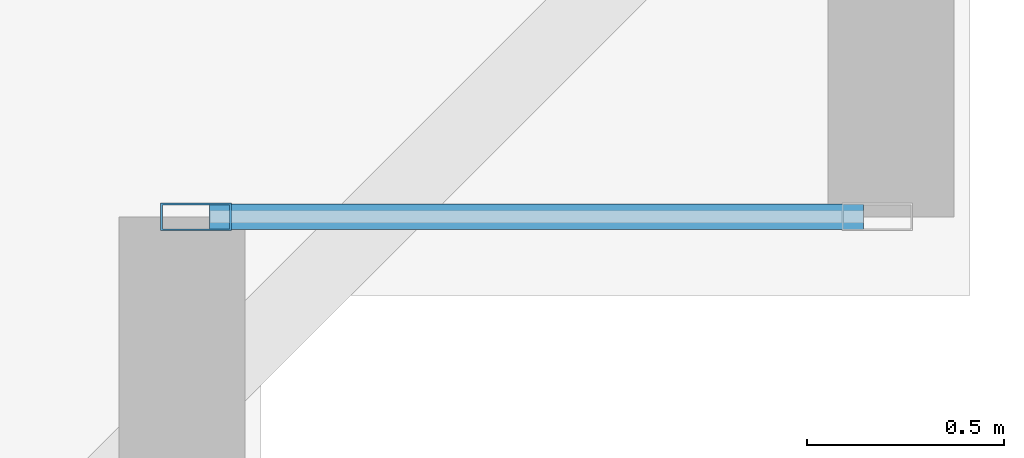
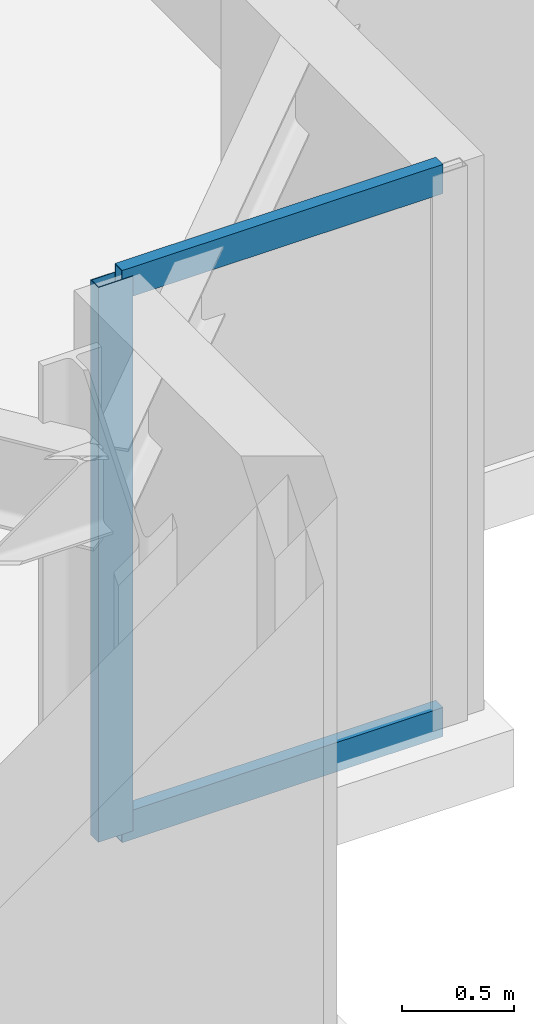
# One storey, part 6 of 21: 3 members, 1 element without a shape of its own.
"""IFC4 building model written with IfcOpenShell, lengths in metres."""

from ifc_helpers import new_model, si_unit, direction, frame, origin, origin_2d, place, context, subcontext, project, spatial, hollow_rectangle, extrude, material, layer, layer_set, material_profile, profile_set, type_object, element, aggregate, save


model = new_model("IFC4")

# Units and contexts
model_context = context("Model", 3, precision=1e-05, world=origin(), true_north=direction((0.0, 1.0)))
body_context = subcontext(model_context, "Body", "Model", "MODEL_VIEW")
ifc_project = project(units=[si_unit("LENGTHUNIT", "METRE"), si_unit("AREAUNIT", "SQUARE_METRE"), si_unit("VOLUMEUNIT", "CUBIC_METRE"), si_unit("PLANEANGLEUNIT", "RADIAN"), si_unit("MASSUNIT", "GRAM", prefix="KILO")], contexts=[model_context])

# Site, building, storey
site_placement = place(None, origin())
site = spatial("IfcSite", under=ifc_project, at=site_placement, CompositionType="ELEMENT")
building_placement = place(site_placement, origin())
building = spatial("IfcBuilding", under=site, at=building_placement, Name="Qobustan Lattice House", CompositionType="ELEMENT")
storey_placement = place(building_placement, frame((0.0, 0.0, 30.35009765625)))
storey = spatial("IfcBuildingStorey", under=building, at=storey_placement, Name="L07", CompositionType="ELEMENT", Elevation=30.35009765625)

# Curtain wall, members
ifc_material_1 = material(Name="Anodised aluminium and low-E glazing", Category="aluminium")
ifc_layer = layer(ifc_material_1, 0.219970703125)
ifc_layer_set = layer_set([ifc_layer], Name="Anodised aluminium and low-E glazing")
curtain_wall_type = type_object("IfcCurtainWallType", Name="CW-FAC-01", PredefinedType="USERDEFINED", material=ifc_layer_set)
curtain_wall_placement = place(storey_placement, origin())
curtain_wall = element("IfcCurtainWall", 1, at=curtain_wall_placement, inside=storey, type_object=curtain_wall_type, Name="L07 serrated corner faceted glazing 18", ObjectType="CURTAIN WALL", PredefinedType="USERDEFINED")
ifc_material_2 = material(Name="Anodised aluminium EN AW-6063 T6", Category="aluminium")
ifc_material_profile_1 = material_profile(ifc_material_2, hollow_rectangle(XDim=0.070068359375, YDim=0.179931640625, WallThickness=0.00439453125, at=origin_2d()), Name="CWM-180x70")
ifc_profile_set_1 = profile_set([ifc_material_profile_1], Name="Anodised aluminium EN AW-6063 T6")
member_type_1 = type_object("IfcMemberType", Name="CWM-STD-180", PredefinedType="MULLION", material=ifc_profile_set_1)
member_1_placement = place(storey_placement, frame((29.235107421875, -17.60009765625, 0.0), z_axis=(0.0, 0.0, 1.0), x_axis=(0.0, -1.0, 0.0)))
member_1 = element("IfcMember", 2, at=member_1_placement, type_object=member_type_1, Name="CW-F1 mullion 2", PredefinedType="MULLION", context=body_context, shape_type="SweptSolid", body=[
    extrude(hollow_rectangle(XDim=0.070068359375, YDim=0.179931640625, WallThickness=0.00439453125, at=origin_2d()), origin(), (0.0, 0.0, 1.0), 3.034912109375),
])
ifc_material_3 = material(Name="Anodised aluminium EN AW-6063 T6", Category="aluminium")
ifc_material_profile_2 = material_profile(ifc_material_3, hollow_rectangle(XDim=0.06494140625, YDim=0.159912109375, WallThickness=0.00390625, at=origin_2d()), Name="CWT-160x65")
ifc_profile_set_2 = profile_set([ifc_material_profile_2], Name="Anodised aluminium EN AW-6063 T6")
member_type_2 = type_object("IfcMemberType", Name="CWT-HOR-160", PredefinedType="USERDEFINED", material=ifc_profile_set_2)
member_2_placement = place(storey_placement, frame((30.929931640625, -17.60009765625, 0.032470703125), z_axis=(-1.0, 0.0, 0.0), x_axis=(0.0, -1.0, 0.0)))
member_2 = element("IfcMember", 3, at=member_2_placement, type_object=member_type_2, Name="CW-F1 transom 1.1", ObjectType="TRANSOM", PredefinedType="USERDEFINED", context=body_context, shape_type="SweptSolid", body=[
    extrude(hollow_rectangle(XDim=0.06494140625, YDim=0.159912109375, WallThickness=0.00390625, at=origin_2d()), origin(), (0.0, 0.0, 1.0), 1.659912109375),
])
member_3_placement = place(storey_placement, frame((30.929931640625, -17.60009765625, 3.00244140625), z_axis=(-1.0, 0.0, 0.0), x_axis=(0.0, -1.0, 0.0)))
member_3 = element("IfcMember", 4, at=member_3_placement, type_object=member_type_2, Name="CW-F1 transom 1.2", ObjectType="TRANSOM", PredefinedType="USERDEFINED", context=body_context, shape_type="SweptSolid", body=[
    extrude(hollow_rectangle(XDim=0.06494140625, YDim=0.159912109375, WallThickness=0.00390625, at=origin_2d()), origin(), (0.0, 0.0, 1.0), 1.659912109375),
])
aggregate(curtain_wall, [member_1, member_2, member_3])

save(model, "model.ifc")
